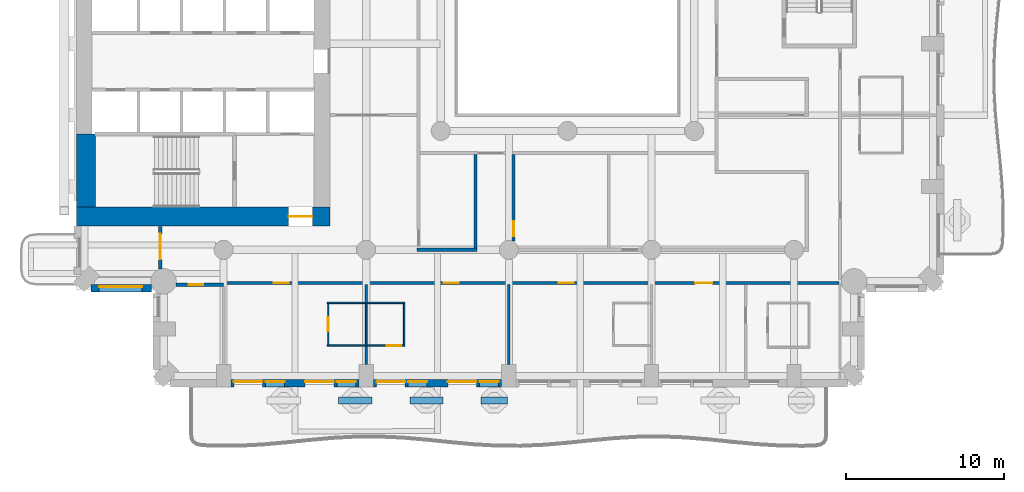
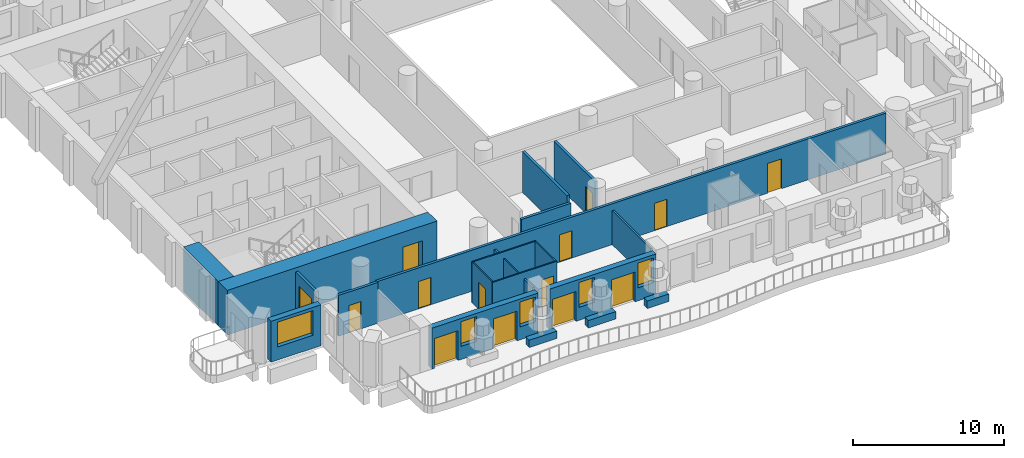
# One storey, part 3 of 20: 22 walls, 14 doors, 5 windows, 19 openings.
"""IFC4 building model written with IfcOpenShell, lengths in metres."""

from ifc_helpers import new_model, si_unit, direction, frame, frame_2d, origin, place, context, subcontext, project, spatial, rectangle, extrude, material, layer, layer_set, type_object, element, fill, save


model = new_model("IFC4")

# Units and contexts
model_context = context("Model", 3, precision=1e-05, world=origin(), true_north=direction((0.0, 1.0)))
body_context = subcontext(model_context, "Body", "Model", "MODEL_VIEW")
ifc_project = project(units=[si_unit("LENGTHUNIT", "METRE"), si_unit("AREAUNIT", "SQUARE_METRE"), si_unit("VOLUMEUNIT", "CUBIC_METRE"), si_unit("PLANEANGLEUNIT", "RADIAN"), si_unit("MASSUNIT", "GRAM", prefix="KILO")], contexts=[model_context])

# Site, building, storey
site_placement = place(None, origin())
site = spatial("IfcSite", under=ifc_project, at=site_placement, CompositionType="ELEMENT")
building_placement = place(site_placement, origin())
building = spatial("IfcBuilding", under=site, at=building_placement, Name="Cypress Arch Tower", CompositionType="ELEMENT")
storey_placement = place(building_placement, frame((0.0, 0.0, 73.5)))
storey = spatial("IfcBuildingStorey", under=building, at=storey_placement, Name="L12", CompositionType="ELEMENT", Elevation=73.5)

# Walls
ifc_material_1 = material(Name="Concrete C40/50, waterproofed", Category="concrete")
ifc_layer_1 = layer(ifc_material_1, 0.449951171875)
ifc_layer_set_1 = layer_set([ifc_layer_1], Name="Balcony planter wall PW450")
wall_type_1 = type_object("IfcWallType", Name="Balcony planter wall PW450", PredefinedType="SOLIDWALL", material=ifc_layer_set_1)
for number, where, z_axis, x_axis, name in (
    (1, (-13.449951171875, -27.0, 0.0), (0.0, 0.0, 1.0), (1.0, 0.0, 0.0), "Balcony planter wall L12-A03.2"),
    (2, (-8.949951171875, -27.0, 0.0), (0.0, 0.0, 1.0), (1.0, 0.0, 0.0), "Balcony planter wall L12-A03.3"),
):
    element("IfcWall", number, at=place(storey_placement, frame(where, z_axis=z_axis, x_axis=x_axis)), inside=storey, type_object=wall_type_1, Name=name, PredefinedType="SOLIDWALL", context=body_context, shape_type="SweptSolid", body=[
        extrude(rectangle(XDim=2.099853515625, YDim=0.449951171875, at=frame_2d((1.0498046875, 0.0))), origin(), (0.0, 0.0, 1.0), 0.60009765625),
    ])
wall_1_placement = place(storey_placement, frame((-4.449951171875, -27.0, 0.0), z_axis=(0.0, 0.0, 1.0), x_axis=(1.0, 0.0, 0.0)))
element("IfcWall", 3, at=wall_1_placement, inside=storey, type_object=wall_type_1, Name="Balcony planter wall L12-A03.4", PredefinedType="SOLIDWALL", context=body_context, shape_type="SweptSolid", body=[
    extrude(rectangle(XDim=1.64990234375, YDim=0.449951171875, at=frame_2d((0.824951171875, 0.0))), origin(), (0.0, 0.0, 1.0), 0.60009765625),
])

# Wall, opening, window
ifc_material_2 = material(Name="Brick (red buff blend)", Category="masonry")
ifc_layer_2 = layer(ifc_material_2, 0.449951171875)
ifc_layer_set_2 = layer_set([ifc_layer_2], Name="Brick pier and spandrel wall BW450")
wall_type_2 = type_object("IfcWallType", Name="Brick pier and spandrel wall BW450", PredefinedType="SOLIDWALL", material=ifc_layer_set_2)
wall_2_placement = place(storey_placement, frame((-29.063720703125, -19.925048828125, 0.0), z_axis=(0.0, 0.0, 1.0), x_axis=(1.0, 0.0, 0.0)))
wall_2 = element("IfcWall", 4, at=wall_2_placement, inside=storey, type_object=wall_type_2, Name="Brick wall L12 A01.0", PredefinedType="SOLIDWALL", context=body_context, shape_type="SweptSolid", body=[
    extrude(rectangle(XDim=3.80517578125, YDim=0.449951171875, at=frame_2d((1.902587890625, 0.0))), origin(), (0.0, 0.0, 1.0), 3.300048828125),
])
opening_1_placement = place(wall_2_placement, frame((0.513671875, 0.0, 1.050048828125)))
opening_1 = element("IfcOpeningElement", 5, at=opening_1_placement, cuts=wall_2, Name="Opening W270H", PredefinedType="OPENING", context=body_context, shape_type="SweptSolid", body=[
    extrude(rectangle(XDim=2.699951171875, YDim=2.0, at=frame_2d((1.35009765625, 1.0))), frame((0.0, 0.23486328125, 0.0), z_axis=(0.0, -1.0, 0.0), x_axis=(1.0, 0.0, 0.0)), (0.0, 0.0, 1.0), 0.469970703125),
])
ifc_material_3 = material(Name="Anodised aluminium, bronze finish, clear low-emissivity double glazing", Category="aluminium")
window_type_1 = type_object("IfcWindowType", Name="Window Hotel 2700x2000", PartitioningType="SINGLE_PANEL", PredefinedType="WINDOW", material=ifc_material_3)
window_1_placement = place(opening_1_placement, origin())
window_1 = element("IfcWindow", 6, at=window_1_placement, inside=storey, type_object=window_type_1, Name="Window L12 A01.0.1", OverallHeight=2.0, OverallWidth=2.699951171875, PartitioningType="SINGLE_PANEL", PredefinedType="WINDOW", context=body_context, shape_type="SweptSolid", body=[
    extrude(rectangle(XDim=2.699951171875, YDim=2.0, at=frame_2d((1.35009765625, 1.0))), frame((0.0, 0.135009765625, 0.0), z_axis=(0.0, -1.0, 0.0), x_axis=(1.0, 0.0, 0.0)), (0.0, 0.0, 1.0), 0.06005859375),
])
fill(opening_1, window_1)

# Wall, openings, doors, windows
wall_3_placement = place(storey_placement, frame((-20.25, -25.925048828125, 0.0), z_axis=(0.0, 0.0, 1.0), x_axis=(1.0, 0.0, 0.0)))
wall_3 = element("IfcWall", 7, at=wall_3_placement, inside=storey, type_object=wall_type_2, Name="Brick wall L12 A03.1", PredefinedType="SOLIDWALL", context=body_context, shape_type="SweptSolid", body=[
    extrude(rectangle(XDim=8.10009765625, YDim=0.449951171875, at=frame_2d((4.050048828125, 0.0))), origin(), (0.0, 0.0, 1.0), 3.300048828125),
])
opening_2_placement = place(wall_3_placement, frame((0.199951171875, 0.0, 0.0)))
opening_2 = element("IfcOpeningElement", 8, at=opening_2_placement, cuts=wall_3, Name="Opening D-L12-A03.1.1", PredefinedType="OPENING", context=body_context, shape_type="SweptSolid", body=[
    extrude(rectangle(XDim=1.800048828125, YDim=2.39990234375, at=frame_2d((0.89990234375, 1.199951171875))), frame((0.0, 0.23486328125, 0.0), z_axis=(0.0, -1.0, 0.0), x_axis=(1.0, 0.0, 0.0)), (0.0, 0.0, 1.0), 0.469970703125),
])
opening_3_placement = place(wall_3_placement, frame((2.199951171875, 0.0, 1.050048828125)))
opening_3 = element("IfcOpeningElement", 9, at=opening_3_placement, cuts=wall_3, Name="Opening W120HD", PredefinedType="OPENING", context=body_context, shape_type="SweptSolid", body=[
    extrude(rectangle(XDim=1.199951171875, YDim=2.0, at=frame_2d((0.60009765625, 1.0))), frame((0.0, 0.23486328125, 0.0), z_axis=(0.0, -1.0, 0.0), x_axis=(1.0, 0.0, 0.0)), (0.0, 0.0, 1.0), 0.469970703125),
])
opening_4_placement = place(wall_3_placement, frame((4.699951171875, 0.0, 0.0)))
opening_4 = element("IfcOpeningElement", 10, at=opening_4_placement, cuts=wall_3, Name="Opening D-L12-A03.1.2", PredefinedType="OPENING", context=body_context, shape_type="SweptSolid", body=[
    extrude(rectangle(XDim=1.800048828125, YDim=2.39990234375, at=frame_2d((0.89990234375, 1.199951171875))), frame((0.0, 0.23486328125, 0.0), z_axis=(0.0, -1.0, 0.0), x_axis=(1.0, 0.0, 0.0)), (0.0, 0.0, 1.0), 0.469970703125),
])
opening_5_placement = place(wall_3_placement, frame((6.699951171875, 0.0, 1.050048828125)))
opening_5 = element("IfcOpeningElement", 11, at=opening_5_placement, cuts=wall_3, Name="Opening W120HD", PredefinedType="OPENING", context=body_context, shape_type="SweptSolid", body=[
    extrude(rectangle(XDim=1.199951171875, YDim=2.0, at=frame_2d((0.60009765625, 1.0))), frame((0.0, 0.23486328125, 0.0), z_axis=(0.0, -1.0, 0.0), x_axis=(1.0, 0.0, 0.0)), (0.0, 0.0, 1.0), 0.469970703125),
])
ifc_material_4 = material(Name="Anodised aluminium, bronze finish, laminated low-emissivity double glazing, large-missile impact rated", Category="aluminium")
door_type_1 = type_object("IfcDoorType", Name="Balcony sliding door 1800x2400", OperationType="SLIDING_TO_LEFT", PredefinedType="DOOR", material=ifc_material_4)
door_1_placement = place(opening_2_placement, origin())
door_1 = element("IfcDoor", 12, at=door_1_placement, inside=storey, type_object=door_type_1, Name="Balcony door L12 A03.1.1", OperationType="SLIDING_TO_LEFT", OverallHeight=2.39990234375, OverallWidth=1.800048828125, PredefinedType="DOOR", context=body_context, shape_type="SweptSolid", body=[
    extrude(rectangle(XDim=1.800048828125, YDim=2.39990234375, at=frame_2d((0.89990234375, 1.199951171875))), frame((0.0, 0.1298828125, 0.0), z_axis=(0.0, -1.0, 0.0), x_axis=(1.0, 0.0, 0.0)), (0.0, 0.0, 1.0), 0.050048828125),
])
fill(opening_2, door_1)
door_2_placement = place(opening_4_placement, origin())
door_2 = element("IfcDoor", 13, at=door_2_placement, inside=storey, type_object=door_type_1, Name="Balcony door L12 A03.1.2", OperationType="SLIDING_TO_LEFT", OverallHeight=2.39990234375, OverallWidth=1.800048828125, PredefinedType="DOOR", context=body_context, shape_type="SweptSolid", body=[
    extrude(rectangle(XDim=1.800048828125, YDim=2.39990234375, at=frame_2d((0.89990234375, 1.199951171875))), frame((0.0, 0.1298828125, 0.0), z_axis=(0.0, -1.0, 0.0), x_axis=(1.0, 0.0, 0.0)), (0.0, 0.0, 1.0), 0.050048828125),
])
fill(opening_4, door_2)
ifc_material_5 = material(Name="Anodised aluminium, bronze finish, laminated low-emissivity double glazing, large-missile impact rated", Category="aluminium")
window_type_2 = type_object("IfcWindowType", Name="Window Hotel 1200x2000 debris-rated", PartitioningType="SINGLE_PANEL", PredefinedType="WINDOW", material=ifc_material_5)
window_2_placement = place(opening_3_placement, origin())
window_2 = element("IfcWindow", 14, at=window_2_placement, inside=storey, type_object=window_type_2, Name="Window L12 A03.1.1", OverallHeight=2.0, OverallWidth=1.199951171875, PartitioningType="SINGLE_PANEL", PredefinedType="WINDOW", context=body_context, shape_type="SweptSolid", body=[
    extrude(rectangle(XDim=1.199951171875, YDim=2.0, at=frame_2d((0.60009765625, 1.0))), frame((0.0, 0.135009765625, 0.0), z_axis=(0.0, -1.0, 0.0), x_axis=(1.0, 0.0, 0.0)), (0.0, 0.0, 1.0), 0.06005859375),
])
fill(opening_3, window_2)
window_3_placement = place(opening_5_placement, origin())
window_3 = element("IfcWindow", 15, at=window_3_placement, inside=storey, type_object=window_type_2, Name="Window L12 A03.1.2", OverallHeight=2.0, OverallWidth=1.199951171875, PartitioningType="SINGLE_PANEL", PredefinedType="WINDOW", context=body_context, shape_type="SweptSolid", body=[
    extrude(rectangle(XDim=1.199951171875, YDim=2.0, at=frame_2d((0.60009765625, 1.0))), frame((0.0, 0.135009765625, 0.0), z_axis=(0.0, -1.0, 0.0), x_axis=(1.0, 0.0, 0.0)), (0.0, 0.0, 1.0), 0.06005859375),
])
fill(opening_5, window_3)

wall_4_placement = place(storey_placement, frame((-11.25, -25.925048828125, 0.0), z_axis=(0.0, 0.0, 1.0), x_axis=(1.0, 0.0, 0.0)))
wall_4 = element("IfcWall", 16, at=wall_4_placement, inside=storey, type_object=wall_type_2, Name="Brick wall L12 A03.2", PredefinedType="SOLIDWALL", context=body_context, shape_type="SweptSolid", body=[
    extrude(rectangle(XDim=8.10009765625, YDim=0.449951171875, at=frame_2d((4.050048828125, 0.0))), origin(), (0.0, 0.0, 1.0), 3.300048828125),
])
opening_6_placement = place(wall_4_placement, frame((0.199951171875, 0.0, 0.0)))
opening_6 = element("IfcOpeningElement", 17, at=opening_6_placement, cuts=wall_4, Name="Opening D-L12-A03.2.1", PredefinedType="OPENING", context=body_context, shape_type="SweptSolid", body=[
    extrude(rectangle(XDim=1.800048828125, YDim=2.39990234375, at=frame_2d((0.89990234375, 1.199951171875))), frame((0.0, 0.23486328125, 0.0), z_axis=(0.0, -1.0, 0.0), x_axis=(1.0, 0.0, 0.0)), (0.0, 0.0, 1.0), 0.469970703125),
])
opening_7_placement = place(wall_4_placement, frame((2.199951171875, 0.0, 1.050048828125)))
opening_7 = element("IfcOpeningElement", 18, at=opening_7_placement, cuts=wall_4, Name="Opening W120HD", PredefinedType="OPENING", context=body_context, shape_type="SweptSolid", body=[
    extrude(rectangle(XDim=1.199951171875, YDim=2.0, at=frame_2d((0.60009765625, 1.0))), frame((0.0, 0.23486328125, 0.0), z_axis=(0.0, -1.0, 0.0), x_axis=(1.0, 0.0, 0.0)), (0.0, 0.0, 1.0), 0.469970703125),
])
opening_8_placement = place(wall_4_placement, frame((4.699951171875, 0.0, 0.0)))
opening_8 = element("IfcOpeningElement", 19, at=opening_8_placement, cuts=wall_4, Name="Opening D-L12-A03.2.2", PredefinedType="OPENING", context=body_context, shape_type="SweptSolid", body=[
    extrude(rectangle(XDim=1.800048828125, YDim=2.39990234375, at=frame_2d((0.89990234375, 1.199951171875))), frame((0.0, 0.23486328125, 0.0), z_axis=(0.0, -1.0, 0.0), x_axis=(1.0, 0.0, 0.0)), (0.0, 0.0, 1.0), 0.469970703125),
])
opening_9_placement = place(wall_4_placement, frame((6.699951171875, 0.0, 1.050048828125)))
opening_9 = element("IfcOpeningElement", 20, at=opening_9_placement, cuts=wall_4, Name="Opening W120HD", PredefinedType="OPENING", context=body_context, shape_type="SweptSolid", body=[
    extrude(rectangle(XDim=1.199951171875, YDim=2.0, at=frame_2d((0.60009765625, 1.0))), frame((0.0, 0.23486328125, 0.0), z_axis=(0.0, -1.0, 0.0), x_axis=(1.0, 0.0, 0.0)), (0.0, 0.0, 1.0), 0.469970703125),
])
door_3_placement = place(opening_6_placement, origin())
door_3 = element("IfcDoor", 21, at=door_3_placement, inside=storey, type_object=door_type_1, Name="Balcony door L12 A03.2.1", OperationType="SLIDING_TO_LEFT", OverallHeight=2.39990234375, OverallWidth=1.800048828125, PredefinedType="DOOR", context=body_context, shape_type="SweptSolid", body=[
    extrude(rectangle(XDim=1.800048828125, YDim=2.39990234375, at=frame_2d((0.89990234375, 1.199951171875))), frame((0.0, 0.1298828125, 0.0), z_axis=(0.0, -1.0, 0.0), x_axis=(1.0, 0.0, 0.0)), (0.0, 0.0, 1.0), 0.050048828125),
])
fill(opening_6, door_3)
door_4_placement = place(opening_8_placement, origin())
door_4 = element("IfcDoor", 22, at=door_4_placement, inside=storey, type_object=door_type_1, Name="Balcony door L12 A03.2.2", OperationType="SLIDING_TO_LEFT", OverallHeight=2.39990234375, OverallWidth=1.800048828125, PredefinedType="DOOR", context=body_context, shape_type="SweptSolid", body=[
    extrude(rectangle(XDim=1.800048828125, YDim=2.39990234375, at=frame_2d((0.89990234375, 1.199951171875))), frame((0.0, 0.1298828125, 0.0), z_axis=(0.0, -1.0, 0.0), x_axis=(1.0, 0.0, 0.0)), (0.0, 0.0, 1.0), 0.050048828125),
])
fill(opening_8, door_4)
window_4_placement = place(opening_7_placement, origin())
window_4 = element("IfcWindow", 23, at=window_4_placement, inside=storey, type_object=window_type_2, Name="Window L12 A03.2.1", OverallHeight=2.0, OverallWidth=1.199951171875, PartitioningType="SINGLE_PANEL", PredefinedType="WINDOW", context=body_context, shape_type="SweptSolid", body=[
    extrude(rectangle(XDim=1.199951171875, YDim=2.0, at=frame_2d((0.60009765625, 1.0))), frame((0.0, 0.135009765625, 0.0), z_axis=(0.0, -1.0, 0.0), x_axis=(1.0, 0.0, 0.0)), (0.0, 0.0, 1.0), 0.06005859375),
])
fill(opening_7, window_4)
window_5_placement = place(opening_9_placement, origin())
window_5 = element("IfcWindow", 24, at=window_5_placement, inside=storey, type_object=window_type_2, Name="Window L12 A03.2.2", OverallHeight=2.0, OverallWidth=1.199951171875, PartitioningType="SINGLE_PANEL", PredefinedType="WINDOW", context=body_context, shape_type="SweptSolid", body=[
    extrude(rectangle(XDim=1.199951171875, YDim=2.0, at=frame_2d((0.60009765625, 1.0))), frame((0.0, 0.135009765625, 0.0), z_axis=(0.0, -1.0, 0.0), x_axis=(1.0, 0.0, 0.0)), (0.0, 0.0, 1.0), 0.06005859375),
])
fill(opening_9, window_5)

# Wall, opening, door
ifc_material_6 = material(Name="Concrete C80/95", Category="concrete")
ifc_layer_3 = layer(ifc_material_6, 1.199951171875)
ifc_layer_set_3 = layer_set([ifc_layer_3], Name="Core wall CW1200 C80/95")
wall_type_3 = type_object("IfcWallType", Name="Core wall CW1200 C80/95", PredefinedType="SHEAR", material=ifc_layer_set_3)
wall_5_placement = place(storey_placement, frame((-30.0, -15.39990234375, 0.0), z_axis=(0.0, 0.0, 1.0), x_axis=(1.0, 0.0, 0.0)))
wall_5 = element("IfcWall", 25, at=wall_5_placement, inside=storey, type_object=wall_type_3, Name="Core wall", PredefinedType="SHEAR", context=body_context, shape_type="SweptSolid", body=[
    extrude(rectangle(XDim=16.0, YDim=1.199951171875, at=frame_2d((8.0, 0.0))), origin(), (0.0, 0.0, 1.0), 3.60009765625),
])
opening_10_placement = place(wall_5_placement, frame((13.39990234375, 0.0, 0.0)))
opening_10 = element("IfcOpeningElement", 26, at=opening_10_placement, cuts=wall_5, Name="Opening D07", PredefinedType="OPENING", context=body_context, shape_type="SweptSolid", body=[
    extrude(rectangle(XDim=1.5, YDim=2.39990234375, at=frame_2d((0.75, 1.199951171875))), frame((0.0, 0.60986328125, 0.0), z_axis=(0.0, -1.0, 0.0), x_axis=(1.0, 0.0, 0.0)), (0.0, 0.0, 1.0), 1.219970703125),
])
ifc_material_7 = material(Name="Steel framed glazed door, fire resisting", Category="steel")
door_type_2 = type_object("IfcDoorType", Name="Lobby door D07 1500x2400", OperationType="DOUBLE_DOOR_SINGLE_SWING", PredefinedType="DOOR", material=ifc_material_7)
door_5_placement = place(opening_10_placement, origin())
door_5 = element("IfcDoor", 27, at=door_5_placement, inside=storey, type_object=door_type_2, Name="Lobby door", OperationType="DOUBLE_DOOR_SINGLE_SWING", OverallHeight=2.39990234375, OverallWidth=1.5, PredefinedType="DOOR", context=body_context, shape_type="SweptSolid", body=[
    extrude(rectangle(XDim=1.5, YDim=2.39990234375, at=frame_2d((0.75, 1.199951171875))), frame((0.0, 0.02490234375, 0.0), z_axis=(0.0, -1.0, 0.0), x_axis=(1.0, 0.0, 0.0)), (0.0, 0.0, 1.0), 0.050048828125),
])
fill(opening_10, door_5)

# Wall
wall_6_placement = place(storey_placement, frame((-29.39990234375, -14.800048828125, 0.0), z_axis=(0.0, 0.0, 1.0), x_axis=(0.0, 1.0, 0.0)))
element("IfcWall", 28, at=wall_6_placement, inside=storey, type_object=wall_type_3, Name="Core wall", PredefinedType="SHEAR", context=body_context, shape_type="SweptSolid", body=[
    extrude(rectangle(XDim=4.60009765625, YDim=1.199951171875, at=frame_2d((2.300048828125, 0.0))), origin(), (0.0, 0.0, 1.0), 3.60009765625),
])

# Wall, opening, door
ifc_material_8 = material(Name="Concrete blockwork, plastered, rated", Category="masonry")
ifc_layer_4 = layer(ifc_material_8, 0.199951171875)
ifc_layer_set_4 = layer_set([ifc_layer_4], Name="Corridor wall FW200")
wall_type_4 = type_object("IfcWallType", Name="Corridor wall FW200", PredefinedType="PARTITIONING", material=ifc_layer_set_4)
wall_7_placement = place(storey_placement, frame((-24.699951171875, -18.7001953125, 0.0), z_axis=(0.0, 0.0, 1.0), x_axis=(0.0, 1.0, 0.0)))
wall_7 = element("IfcWall", 29, at=wall_7_placement, inside=storey, type_object=wall_type_4, Name="Corridor wall", PredefinedType="PARTITIONING", context=body_context, shape_type="SweptSolid", body=[
    extrude(rectangle(XDim=2.670166015625, YDim=0.199951171875, at=frame_2d((1.3349609375, 0.0))), origin(), (0.0, 0.0, 1.0), 3.300048828125),
])
opening_11_placement = place(wall_7_placement, frame((0.60009765625, 0.0, 0.0)))
opening_11 = element("IfcOpeningElement", 30, at=opening_11_placement, cuts=wall_7, Name="Opening D10", PredefinedType="OPENING", context=body_context, shape_type="SweptSolid", body=[
    extrude(rectangle(XDim=1.60009765625, YDim=2.39990234375, at=frame_2d((0.800048828125, 1.199951171875))), frame((0.0, 0.10986328125, 0.0), z_axis=(0.0, -1.0, 0.0), x_axis=(1.0, 0.0, 0.0)), (0.0, 0.0, 1.0), 0.219970703125),
])
ifc_material_9 = material(Name="Black aluminium glazed door", Category="aluminium")
door_type_3 = type_object("IfcDoorType", Name="Amenity door D10 1600x2400", OperationType="DOUBLE_DOOR_SINGLE_SWING", PredefinedType="DOOR", material=ifc_material_9)
door_6_placement = place(opening_11_placement, origin())
door_6 = element("IfcDoor", 31, at=door_6_placement, inside=storey, type_object=door_type_3, Name="Amenity door", OperationType="DOUBLE_DOOR_SINGLE_SWING", OverallHeight=2.39990234375, OverallWidth=1.60009765625, PredefinedType="DOOR", context=body_context, shape_type="SweptSolid", body=[
    extrude(rectangle(XDim=1.60009765625, YDim=2.39990234375, at=frame_2d((0.800048828125, 1.199951171875))), frame((0.0, 0.02490234375, 0.0), z_axis=(0.0, -1.0, 0.0), x_axis=(1.0, 0.0, 0.0)), (0.0, 0.0, 1.0), 0.050048828125),
])
fill(opening_11, door_6)

wall_8_placement = place(storey_placement, frame((-23.7001953125, -19.699951171875, 0.0), z_axis=(0.0, 0.0, 1.0), x_axis=(1.0, 0.0, 0.0)))
wall_8 = element("IfcWall", 32, at=wall_8_placement, inside=storey, type_object=wall_type_4, Name="Corridor wall", PredefinedType="PARTITIONING", context=body_context, shape_type="SweptSolid", body=[
    extrude(rectangle(XDim=3.000244140625, YDim=0.199951171875, at=frame_2d((1.5, 0.0))), origin(), (0.0, 0.0, 1.0), 3.300048828125),
])
opening_12_placement = place(wall_8_placement, frame((0.800048828125, 0.0, 0.0)))
opening_12 = element("IfcOpeningElement", 33, at=opening_12_placement, cuts=wall_8, Name="Opening D05", PredefinedType="OPENING", context=body_context, shape_type="SweptSolid", body=[
    extrude(rectangle(XDim=0.89990234375, YDim=2.199951171875, at=frame_2d((0.449951171875, 1.10009765625))), frame((0.0, 0.10986328125, 0.0), z_axis=(0.0, -1.0, 0.0), x_axis=(1.0, 0.0, 0.0)), (0.0, 0.0, 1.0), 0.219970703125),
])
ifc_material_10 = material(Name="Timber flush door", Category="wood")
door_type_4 = type_object("IfcDoorType", Name="Service door D05 900x2200", OperationType="SINGLE_SWING_LEFT", PredefinedType="DOOR", material=ifc_material_10)
door_7_placement = place(opening_12_placement, origin())
door_7 = element("IfcDoor", 34, at=door_7_placement, inside=storey, type_object=door_type_4, Name="Service door", OperationType="SINGLE_SWING_RIGHT", OverallHeight=2.199951171875, OverallWidth=0.89990234375, PredefinedType="DOOR", context=body_context, shape_type="SweptSolid", body=[
    extrude(rectangle(XDim=0.89990234375, YDim=2.199951171875, at=frame_2d((0.449951171875, 1.10009765625))), frame((0.0, 0.02490234375, 0.0), z_axis=(0.0, -1.0, 0.0), x_axis=(1.0, 0.0, 0.0)), (0.0, 0.0, 1.0), 0.050048828125),
])
fill(opening_12, door_7)

# Wall, openings, doors
wall_9_placement = place(storey_placement, frame((-20.699951171875, -19.60009765625, 0.0), z_axis=(0.0, 0.0, 1.0), x_axis=(1.0, 0.0, 0.0)))
wall_9 = element("IfcWall", 35, at=wall_9_placement, inside=storey, type_object=wall_type_4, Name="Corridor wall", PredefinedType="PARTITIONING", context=body_context, shape_type="SweptSolid", body=[
    extrude(rectangle(XDim=38.824951171875, YDim=0.199951171875, at=frame_2d((19.41259765625, 0.0))), origin(), (0.0, 0.0, 1.0), 3.300048828125),
])
opening_13_placement = place(wall_9_placement, frame((3.14990234375, 0.0, 0.0)))
opening_13 = element("IfcOpeningElement", 36, at=opening_13_placement, cuts=wall_9, Name="Opening D02", PredefinedType="OPENING", context=body_context, shape_type="SweptSolid", body=[
    extrude(rectangle(XDim=0.949951171875, YDim=2.199951171875, at=frame_2d((0.47509765625, 1.10009765625))), frame((0.0, 0.10986328125, 0.0), z_axis=(0.0, -1.0, 0.0), x_axis=(1.0, 0.0, 0.0)), (0.0, 0.0, 1.0), 0.219970703125),
])
opening_14_placement = place(wall_9_placement, frame((13.89990234375, 0.0, 0.0)))
opening_14 = element("IfcOpeningElement", 37, at=opening_14_placement, cuts=wall_9, Name="Opening D02", PredefinedType="OPENING", context=body_context, shape_type="SweptSolid", body=[
    extrude(rectangle(XDim=0.949951171875, YDim=2.199951171875, at=frame_2d((0.47509765625, 1.10009765625))), frame((0.0, 0.10986328125, 0.0), z_axis=(0.0, -1.0, 0.0), x_axis=(1.0, 0.0, 0.0)), (0.0, 0.0, 1.0), 0.219970703125),
])
opening_15_placement = place(wall_9_placement, frame((21.14990234375, 0.0, 0.0)))
opening_15 = element("IfcOpeningElement", 38, at=opening_15_placement, cuts=wall_9, Name="Opening D02", PredefinedType="OPENING", context=body_context, shape_type="SweptSolid", body=[
    extrude(rectangle(XDim=0.949951171875, YDim=2.199951171875, at=frame_2d((0.47509765625, 1.10009765625))), frame((0.0, 0.10986328125, 0.0), z_axis=(0.0, -1.0, 0.0), x_axis=(1.0, 0.0, 0.0)), (0.0, 0.0, 1.0), 0.219970703125),
])
opening_16_placement = place(wall_9_placement, frame((29.75, 0.0, 0.0)))
opening_16 = element("IfcOpeningElement", 39, at=opening_16_placement, cuts=wall_9, Name="Opening D01", PredefinedType="OPENING", context=body_context, shape_type="SweptSolid", body=[
    extrude(rectangle(XDim=1.10009765625, YDim=2.39990234375, at=frame_2d((0.550048828125, 1.199951171875))), frame((0.0, 0.10986328125, 0.0), z_axis=(0.0, -1.0, 0.0), x_axis=(1.0, 0.0, 0.0)), (0.0, 0.0, 1.0), 0.219970703125),
])
ifc_material_11 = material(Name="Timber flush door, fire resisting", Category="wood")
door_type_5 = type_object("IfcDoorType", Name="Room door D02 950x2200", OperationType="SINGLE_SWING_LEFT", PredefinedType="DOOR", material=ifc_material_11)
door_8_placement = place(opening_13_placement, origin())
door_8 = element("IfcDoor", 40, at=door_8_placement, inside=storey, type_object=door_type_5, Name="Room door", OperationType="SINGLE_SWING_RIGHT", OverallHeight=2.199951171875, OverallWidth=0.949951171875, PredefinedType="DOOR", context=body_context, shape_type="SweptSolid", body=[
    extrude(rectangle(XDim=0.949951171875, YDim=2.199951171875, at=frame_2d((0.47509765625, 1.10009765625))), frame((0.0, 0.02490234375, 0.0), z_axis=(0.0, -1.0, 0.0), x_axis=(1.0, 0.0, 0.0)), (0.0, 0.0, 1.0), 0.050048828125),
])
fill(opening_13, door_8)
door_9_placement = place(opening_14_placement, origin())
door_9 = element("IfcDoor", 41, at=door_9_placement, inside=storey, type_object=door_type_5, Name="Room door", OperationType="SINGLE_SWING_RIGHT", OverallHeight=2.199951171875, OverallWidth=0.949951171875, PredefinedType="DOOR", context=body_context, shape_type="SweptSolid", body=[
    extrude(rectangle(XDim=0.949951171875, YDim=2.199951171875, at=frame_2d((0.47509765625, 1.10009765625))), frame((0.0, 0.02490234375, 0.0), z_axis=(0.0, -1.0, 0.0), x_axis=(1.0, 0.0, 0.0)), (0.0, 0.0, 1.0), 0.050048828125),
])
fill(opening_14, door_9)
door_10_placement = place(opening_15_placement, origin())
door_10 = element("IfcDoor", 42, at=door_10_placement, inside=storey, type_object=door_type_5, Name="Room door", OperationType="SINGLE_SWING_LEFT", OverallHeight=2.199951171875, OverallWidth=0.949951171875, PredefinedType="DOOR", context=body_context, shape_type="SweptSolid", body=[
    extrude(rectangle(XDim=0.949951171875, YDim=2.199951171875, at=frame_2d((0.47509765625, 1.10009765625))), frame((0.0, 0.02490234375, 0.0), z_axis=(0.0, -1.0, 0.0), x_axis=(1.0, 0.0, 0.0)), (0.0, 0.0, 1.0), 0.050048828125),
])
fill(opening_15, door_10)
ifc_material_12 = material(Name="Timber flush door, fire resisting, self-closing", Category="wood")
door_type_6 = type_object("IfcDoorType", Name="Unit entrance door D01 1100x2400", OperationType="SINGLE_SWING_LEFT", PredefinedType="DOOR", material=ifc_material_12)
door_11_placement = place(opening_16_placement, origin())
door_11 = element("IfcDoor", 43, at=door_11_placement, inside=storey, type_object=door_type_6, Name="Unit entrance door", OperationType="SINGLE_SWING_LEFT", OverallHeight=2.39990234375, OverallWidth=1.10009765625, PredefinedType="DOOR", context=body_context, shape_type="SweptSolid", body=[
    extrude(rectangle(XDim=1.10009765625, YDim=2.39990234375, at=frame_2d((0.550048828125, 1.199951171875))), frame((0.0, 0.02490234375, 0.0), z_axis=(0.0, -1.0, 0.0), x_axis=(1.0, 0.0, 0.0)), (0.0, 0.0, 1.0), 0.050048828125),
])
fill(opening_16, door_11)

# Walls
wall_10_placement = place(storey_placement, frame((-8.5, -17.5, 0.0), z_axis=(0.0, 0.0, 1.0), x_axis=(1.0, 0.0, 0.0)))
element("IfcWall", 44, at=wall_10_placement, inside=storey, type_object=wall_type_4, Name="Corridor wall", PredefinedType="PARTITIONING", context=body_context, shape_type="SweptSolid", body=[
    extrude(rectangle(XDim=3.800048828125, YDim=0.199951171875, at=frame_2d((1.89990234375, 0.0))), origin(), (0.0, 0.0, 1.0), 2.75),
])
wall_11_placement = place(storey_placement, frame((-4.800048828125, -17.39990234375, 0.0), z_axis=(0.0, 0.0, 1.0), x_axis=(0.0, 1.0, 0.0)))
element("IfcWall", 45, at=wall_11_placement, inside=storey, type_object=wall_type_4, Name="Corridor wall", PredefinedType="PARTITIONING", context=body_context, shape_type="SweptSolid", body=[
    extrude(rectangle(XDim=5.89990234375, YDim=0.199951171875, at=frame_2d((2.949951171875, 0.0))), origin(), (0.0, 0.0, 1.0), 3.300048828125),
])

# Wall, opening, door
wall_12_placement = place(storey_placement, frame((-2.39990234375, -16.943359375, 0.0), z_axis=(0.0, 0.0, 1.0), x_axis=(0.0, 1.0, 0.0)))
wall_12 = element("IfcWall", 46, at=wall_12_placement, inside=storey, type_object=wall_type_4, Name="Corridor wall", PredefinedType="PARTITIONING", context=body_context, shape_type="SweptSolid", body=[
    extrude(rectangle(XDim=5.443359375, YDim=0.199951171875, at=frame_2d((2.7216796875, 0.0))), origin(), (0.0, 0.0, 1.0), 3.300048828125),
])
opening_17_placement = place(wall_12_placement, frame((0.300048828125, 0.0, 0.0)))
opening_17 = element("IfcOpeningElement", 47, at=opening_17_placement, cuts=wall_12, Name="Opening D02", PredefinedType="OPENING", context=body_context, shape_type="SweptSolid", body=[
    extrude(rectangle(XDim=0.949951171875, YDim=2.199951171875, at=frame_2d((0.47509765625, 1.10009765625))), frame((0.0, 0.10986328125, 0.0), z_axis=(0.0, -1.0, 0.0), x_axis=(1.0, 0.0, 0.0)), (0.0, 0.0, 1.0), 0.219970703125),
])
door_12_placement = place(opening_17_placement, origin())
door_12 = element("IfcDoor", 48, at=door_12_placement, inside=storey, type_object=door_type_5, Name="Room door", OperationType="SINGLE_SWING_RIGHT", OverallHeight=2.199951171875, OverallWidth=0.949951171875, PredefinedType="DOOR", context=body_context, shape_type="SweptSolid", body=[
    extrude(rectangle(XDim=0.949951171875, YDim=2.199951171875, at=frame_2d((0.47509765625, 1.10009765625))), frame((0.0, 0.02490234375, 0.0), z_axis=(0.0, -1.0, 0.0), x_axis=(1.0, 0.0, 0.0)), (0.0, 0.0, 1.0), 0.050048828125),
])
fill(opening_17, door_12)

# Walls
ifc_material_13 = material(Name="Blockwork, plastered both sides", Category="masonry")
ifc_layer_5 = layer(ifc_material_13, 0.14990234375)
ifc_layer_set_5 = layer_set([ifc_layer_5], Name="Partition PW150")
wall_type_5 = type_object("IfcWallType", Name="Partition PW150", PredefinedType="PARTITIONING", material=ifc_layer_set_5)
wall_13_placement = place(storey_placement, frame((-11.699951171875, -24.75, 0.0), z_axis=(0.0, 0.0, 1.0), x_axis=(0.0, 1.0, 0.0)))
element("IfcWall", 49, at=wall_13_placement, inside=storey, type_object=wall_type_5, Name="Partition", PredefinedType="PARTITIONING", context=body_context, shape_type="SweptSolid", body=[
    extrude(rectangle(XDim=1.179931640625, YDim=0.14990234375, at=frame_2d((0.58984375, 0.0))), origin(), (0.0, 0.0, 1.0), 2.75),
])
wall_14_placement = place(storey_placement, frame((-11.699951171875, -20.85009765625, 0.0), z_axis=(0.0, 0.0, 1.0), x_axis=(0.0, 1.0, 0.0)))
element("IfcWall", 50, at=wall_14_placement, inside=storey, type_object=wall_type_5, Name="Partition", PredefinedType="PARTITIONING", context=body_context, shape_type="SweptSolid", body=[
    extrude(rectangle(XDim=1.150146484375, YDim=0.14990234375, at=frame_2d((0.5751953125, 0.0))), origin(), (0.0, 0.0, 1.0), 2.75),
])
wall_15_placement = place(storey_placement, frame((-2.699951171875, -24.75, 0.0), z_axis=(0.0, 0.0, 1.0), x_axis=(0.0, 1.0, 0.0)))
element("IfcWall", 51, at=wall_15_placement, inside=storey, type_object=wall_type_5, Name="Partition", PredefinedType="PARTITIONING", context=body_context, shape_type="SweptSolid", body=[
    extrude(rectangle(XDim=5.050048828125, YDim=0.14990234375, at=frame_2d((2.52490234375, 0.0))), origin(), (0.0, 0.0, 1.0), 2.75),
])

# Wall, opening, door
ifc_material_14 = material(Name="Moisture resistant board on steel studs, tiled", Category="steel")
ifc_layer_6 = layer(ifc_material_14, 0.10009765625)
ifc_layer_set_6 = layer_set([ifc_layer_6], Name="Wet wall PW100")
wall_type_6 = type_object("IfcWallType", Name="Wet wall PW100", PredefinedType="PARTITIONING", material=ifc_layer_set_6)
wall_16_placement = place(storey_placement, frame((-14.095947265625, -23.5, 0.0), z_axis=(0.0, 0.0, 1.0), x_axis=(0.0, 1.0, 0.0)))
wall_16 = element("IfcWall", 52, at=wall_16_placement, inside=storey, type_object=wall_type_6, Name="Wet wall", PredefinedType="PARTITIONING", context=body_context, shape_type="SweptSolid", body=[
    extrude(rectangle(XDim=2.60009765625, YDim=0.10009765625, at=frame_2d((1.300048828125, 0.0))), origin(), (0.0, 0.0, 1.0), 3.300048828125),
])
opening_18_placement = place(wall_16_placement, frame((0.85009765625, 0.0, 0.0)))
opening_18 = element("IfcOpeningElement", 53, at=opening_18_placement, cuts=wall_16, Name="Opening D03", PredefinedType="OPENING", context=body_context, shape_type="SweptSolid", body=[
    extrude(rectangle(XDim=0.89990234375, YDim=2.199951171875, at=frame_2d((0.449951171875, 1.10009765625))), frame((0.0, 0.06005859375, 0.0), z_axis=(0.0, -1.0, 0.0), x_axis=(1.0, 0.0, 0.0)), (0.0, 0.0, 1.0), 0.1201171875),
])
ifc_material_15 = material(Name="Timber flush door, moisture resistant", Category="wood")
door_type_7 = type_object("IfcDoorType", Name="Bathroom door D03 900x2200", OperationType="SINGLE_SWING_LEFT", PredefinedType="DOOR", material=ifc_material_15)
door_13_placement = place(opening_18_placement, origin())
door_13 = element("IfcDoor", 54, at=door_13_placement, inside=storey, type_object=door_type_7, Name="Bathroom door", OperationType="SINGLE_SWING_LEFT", OverallHeight=2.199951171875, OverallWidth=0.89990234375, PredefinedType="DOOR", context=body_context, shape_type="SweptSolid", body=[
    extrude(rectangle(XDim=0.89990234375, YDim=2.199951171875, at=frame_2d((0.449951171875, 1.10009765625))), frame((0.0, 0.02490234375, 0.0), z_axis=(0.0, -1.0, 0.0), x_axis=(1.0, 0.0, 0.0)), (0.0, 0.0, 1.0), 0.050048828125),
])
fill(opening_18, door_13)

wall_17_placement = place(storey_placement, frame((-14.14599609375, -23.550048828125, 0.0), z_axis=(0.0, 0.0, 1.0), x_axis=(1.0, 0.0, 0.0)))
wall_17 = element("IfcWall", 55, at=wall_17_placement, inside=storey, type_object=wall_type_6, Name="Wet wall", PredefinedType="PARTITIONING", context=body_context, shape_type="SweptSolid", body=[
    extrude(rectangle(XDim=4.89208984375, YDim=0.10009765625, at=frame_2d((2.446044921875, 0.0))), origin(), (0.0, 0.0, 1.0), 3.300048828125),
])
opening_19_placement = place(wall_17_placement, frame((3.75, 0.0, 0.0)))
opening_19 = element("IfcOpeningElement", 56, at=opening_19_placement, cuts=wall_17, Name="Opening D03", PredefinedType="OPENING", context=body_context, shape_type="SweptSolid", body=[
    extrude(rectangle(XDim=0.89990234375, YDim=2.199951171875, at=frame_2d((0.449951171875, 1.10009765625))), frame((0.0, 0.06005859375, 0.0), z_axis=(0.0, -1.0, 0.0), x_axis=(1.0, 0.0, 0.0)), (0.0, 0.0, 1.0), 0.1201171875),
])
door_14_placement = place(opening_19_placement, origin())
door_14 = element("IfcDoor", 57, at=door_14_placement, inside=storey, type_object=door_type_7, Name="Bathroom door", OperationType="SINGLE_SWING_RIGHT", OverallHeight=2.199951171875, OverallWidth=0.89990234375, PredefinedType="DOOR", context=body_context, shape_type="SweptSolid", body=[
    extrude(rectangle(XDim=0.89990234375, YDim=2.199951171875, at=frame_2d((0.449951171875, 1.10009765625))), frame((0.0, 0.02490234375, 0.0), z_axis=(0.0, -1.0, 0.0), x_axis=(1.0, 0.0, 0.0)), (0.0, 0.0, 1.0), 0.050048828125),
])
fill(opening_19, door_14)

# Walls
wall_18_placement = place(storey_placement, frame((-14.14599609375, -20.85009765625, 0.0), z_axis=(0.0, 0.0, 1.0), x_axis=(1.0, 0.0, 0.0)))
element("IfcWall", 58, at=wall_18_placement, inside=storey, type_object=wall_type_6, Name="Wet wall", PredefinedType="PARTITIONING", context=body_context, shape_type="SweptSolid", body=[
    extrude(rectangle(XDim=4.89208984375, YDim=0.10009765625, at=frame_2d((2.446044921875, 0.0))), origin(), (0.0, 0.0, 1.0), 3.300048828125),
])
wall_19_placement = place(storey_placement, frame((-11.699951171875, -23.570068359375, 0.0), z_axis=(0.0, 0.0, 1.0), x_axis=(0.0, 1.0, 0.0)))
element("IfcWall", 59, at=wall_19_placement, inside=storey, type_object=wall_type_6, Name="Wet wall", PredefinedType="PARTITIONING", context=body_context, shape_type="SweptSolid", body=[
    extrude(rectangle(XDim=2.719970703125, YDim=0.10009765625, at=frame_2d((1.35986328125, 0.0))), origin(), (0.0, 0.0, 1.0), 2.75),
])
wall_20_placement = place(storey_placement, frame((-9.303955078125, -23.5, 0.0), z_axis=(0.0, 0.0, 1.0), x_axis=(0.0, 1.0, 0.0)))
element("IfcWall", 60, at=wall_20_placement, inside=storey, type_object=wall_type_6, Name="Wet wall", PredefinedType="PARTITIONING", context=body_context, shape_type="SweptSolid", body=[
    extrude(rectangle(XDim=2.60009765625, YDim=0.10009765625, at=frame_2d((1.300048828125, 0.0))), origin(), (0.0, 0.0, 1.0), 3.300048828125),
])

save(model, "model.ifc")
